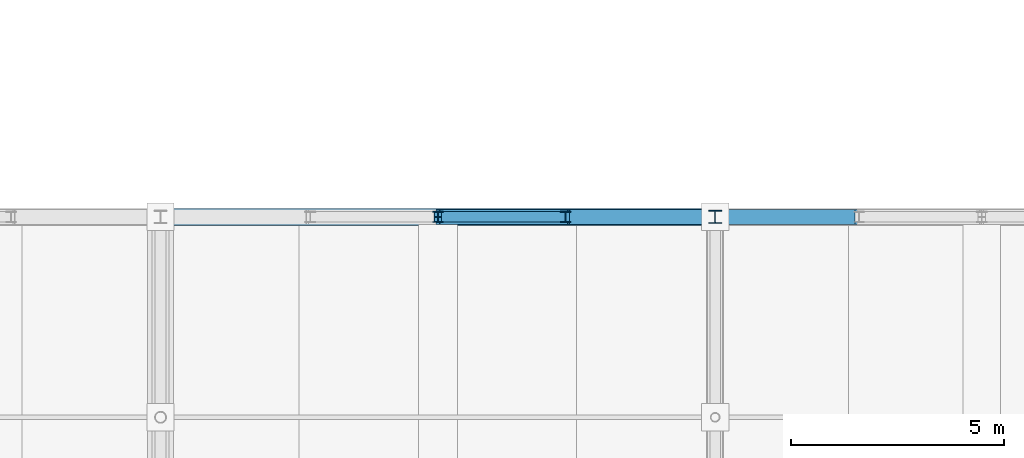
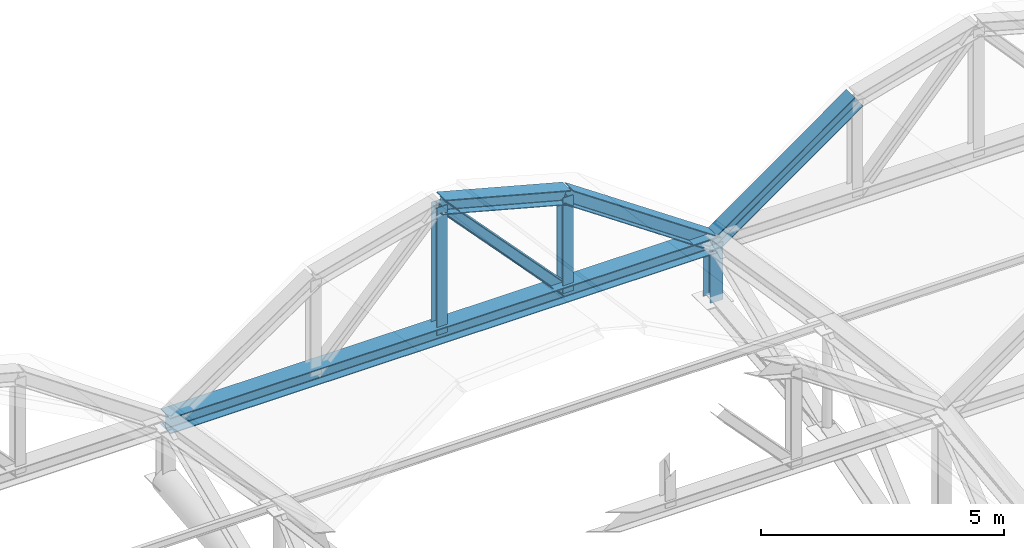
# One storey, part 27 of 117: 8 members.
"""IFC4 building model written with IfcOpenShell, lengths in metres."""

from ifc_helpers import new_model, si_unit, direction, frame, origin, origin_2d, place, context, subcontext, project, spatial, i_section, extrude, material, material_profile, profile_set, type_object, element, save


model = new_model("IFC4")

# Units and contexts
model_context = context("Model", 3, precision=1e-05, world=origin(), true_north=direction((0.0, 1.0)))
body_context = subcontext(model_context, "Body", "Model", "MODEL_VIEW")
ifc_project = project(units=[si_unit("LENGTHUNIT", "METRE"), si_unit("AREAUNIT", "SQUARE_METRE"), si_unit("VOLUMEUNIT", "CUBIC_METRE"), si_unit("PLANEANGLEUNIT", "RADIAN"), si_unit("MASSUNIT", "GRAM", prefix="KILO")], contexts=[model_context])

# Site, building, storey
site_placement = place(None, origin())
site = spatial("IfcSite", under=ifc_project, at=site_placement, CompositionType="ELEMENT")
building_placement = place(site_placement, origin())
building = spatial("IfcBuilding", under=site, at=building_placement, Name="Kazenohara Klinker Stadium", CompositionType="ELEMENT")
storey_placement = place(building_placement, frame((0.0, 0.0, 31.199951171875)))
storey = spatial("IfcBuildingStorey", under=building, at=storey_placement, Name="RF", CompositionType="ELEMENT", Elevation=31.199951171875)

# Members
ifc_material = material(Name="Steel S355", Category="steel")
ifc_material_profile_1 = material_profile(ifc_material, i_section(OverallWidth=0.39990234375, OverallDepth=0.39990234375, WebThickness=0.012939453125, FlangeThickness=0.02099609375, FilletRadius=0.02197265625, at=origin_2d()), Name="H-400x400x13x21")
ifc_profile_set_1 = profile_set([ifc_material_profile_1], Name="Steel S355")
member_type_1 = type_object("IfcMemberType", Name="MEM-CHD01", PredefinedType="CHORD", material=ifc_profile_set_1)
member_1_placement = place(storey_placement, frame((125.0, 45.39990234375, 3.300048828125), z_axis=(-1.0, 0.0, 0.0), x_axis=(0.0, -1.0, 0.0)))
element("IfcMember", 1, at=member_1_placement, inside=storey, type_object=member_type_1, Name="Inner tension ring chord TC01 segment 27", PredefinedType="CHORD", context=body_context, shape_type="SweptSolid", body=[
    extrude(i_section(OverallWidth=0.39990234375, OverallDepth=0.39990234375, WebThickness=0.012939453125, FlangeThickness=0.02099609375, FilletRadius=0.02197265625, at=origin_2d()), origin(), (0.0, 0.0, 1.0), 13.0),
])
ifc_material_profile_2 = material_profile(ifc_material, i_section(OverallWidth=0.35009765625, OverallDepth=0.35009765625, WebThickness=0.011962890625, FlangeThickness=0.01904296875, FilletRadius=0.012939453125, at=origin_2d()), Name="H-350x350x12x19")
ifc_profile_set_2 = profile_set([ifc_material_profile_2], Name="Steel S355")
member_type_2 = type_object("IfcMemberType", Name="MEM-CHD02", PredefinedType="CHORD", material=ifc_profile_set_2)
member_2_placement = place(storey_placement, frame((118.5, 45.39990234375, 6.5), z_axis=(0.966015959624, 0.0, -0.258482428324), x_axis=(0.0, 1.0, 0.0)))
element("IfcMember", 2, at=member_2_placement, inside=storey, type_object=member_type_2, Name="Barrel arch top rib TC02 S-05-N5-S3", PredefinedType="CHORD", context=body_context, shape_type="SweptSolid", body=[
    extrude(i_section(OverallWidth=0.35009765625, OverallDepth=0.35009765625, WebThickness=0.011962890625, FlangeThickness=0.01904296875, FilletRadius=0.012939453125, at=origin_2d()), origin(), (0.0, 0.0, 1.0), 3.09521484375),
])
member_3_placement = place(storey_placement, frame((121.489990234375, 45.39990234375, 5.699951171875), z_axis=(0.825491711615, 0.0, -0.56441423977), x_axis=(0.0, 1.0, 0.0)))
element("IfcMember", 3, at=member_3_placement, inside=storey, type_object=member_type_2, Name="Barrel arch top rib TC02 S-05-N5-S4", PredefinedType="CHORD", context=body_context, shape_type="SweptSolid", body=[
    extrude(i_section(OverallWidth=0.35009765625, OverallDepth=0.35009765625, WebThickness=0.011962890625, FlangeThickness=0.01904296875, FilletRadius=0.012939453125, at=origin_2d()), origin(), (0.0, 0.0, 1.0), 4.251953125),
])
member_4_placement = place(storey_placement, frame((125.0, 45.39990234375, 3.300048828125), z_axis=(0.814966461491, 0.0, 0.579508124744), x_axis=(0.0, 1.0, 0.0)))
element("IfcMember", 4, at=member_4_placement, inside=storey, type_object=member_type_2, Name="Barrel arch top rib TC02 S-06-N5-S1", PredefinedType="CHORD", context=body_context, shape_type="SweptSolid", body=[
    extrude(i_section(OverallWidth=0.35009765625, OverallDepth=0.35009765625, WebThickness=0.011962890625, FlangeThickness=0.01904296875, FilletRadius=0.012939453125, at=origin_2d()), origin(), (0.0, 0.0, 1.0), 4.141357421875),
])
ifc_material_profile_3 = material_profile(ifc_material, i_section(OverallWidth=0.300048828125, OverallDepth=0.300048828125, WebThickness=0.010009765625, FlangeThickness=0.014892578125, FilletRadius=0.012939453125, at=origin_2d()), Name="H-300x300x10x15")
ifc_profile_set_3 = profile_set([ifc_material_profile_3], Name="Steel S355")
member_type_3 = type_object("IfcMemberType", Name="MEM-STR01", PredefinedType="STRUT", material=ifc_profile_set_3)
member_5_placement = place(storey_placement, frame((125.0, 45.39990234375, 1.85009765625), z_axis=(0.0, 0.0, 1.0), x_axis=(1.0, 0.0, 0.0)))
element("IfcMember", 5, at=member_5_placement, inside=storey, type_object=member_type_3, Name="ROOF TRUSS RT-S06 web post 6", PredefinedType="STRUT", context=body_context, shape_type="SweptSolid", body=[
    extrude(i_section(OverallWidth=0.300048828125, OverallDepth=0.300048828125, WebThickness=0.010009765625, FlangeThickness=0.014892578125, FilletRadius=0.012939453125, at=origin_2d()), origin(), (0.0, 0.0, 1.0), 1.449951171875),
])
ifc_material_profile_4 = material_profile(ifc_material, i_section(OverallWidth=0.25, OverallDepth=0.25, WebThickness=0.009033203125, FlangeThickness=0.013916015625, FilletRadius=0.012939453125, at=origin_2d()), Name="H-250x250x9x14")
ifc_profile_set_4 = profile_set([ifc_material_profile_4], Name="Steel S355")
member_type_4 = type_object("IfcMemberType", Name="MEM-STR02", PredefinedType="STRUT", material=ifc_profile_set_4)
member_6_placement = place(storey_placement, frame((118.5, 45.39990234375, 3.300048828125), z_axis=(0.0, 0.0, 1.0), x_axis=(1.0, 0.0, 0.0)))
element("IfcMember", 6, at=member_6_placement, inside=storey, type_object=member_type_4, Name="Barrel arch web post TS02 S-05-N5-P2", PredefinedType="STRUT", context=body_context, shape_type="SweptSolid", body=[
    extrude(i_section(OverallWidth=0.25, OverallDepth=0.25, WebThickness=0.009033203125, FlangeThickness=0.013916015625, FilletRadius=0.012939453125, at=origin_2d()), origin(), (0.0, 0.0, 1.0), 3.199951171875),
])
member_7_placement = place(storey_placement, frame((121.489990234375, 45.39990234375, 3.300048828125), z_axis=(0.0, 0.0, 1.0), x_axis=(1.0, 0.0, 0.0)))
element("IfcMember", 7, at=member_7_placement, inside=storey, type_object=member_type_4, Name="Barrel arch web post TS02 S-05-N5-P3", PredefinedType="STRUT", context=body_context, shape_type="SweptSolid", body=[
    extrude(i_section(OverallWidth=0.25, OverallDepth=0.25, WebThickness=0.009033203125, FlangeThickness=0.013916015625, FilletRadius=0.012939453125, at=origin_2d()), origin(), (0.0, 0.0, 1.0), 2.39990234375),
])
member_8_placement = place(storey_placement, frame((121.489990234375, 45.39990234375, 3.300048828125), z_axis=(-0.682729290589, 0.0, 0.730671414366), x_axis=(0.0, -1.0, 0.0)))
element("IfcMember", 8, at=member_8_placement, inside=storey, type_object=member_type_4, Name="Barrel arch web diagonal TS02 S-05-N5-D2", PredefinedType="STRUT", context=body_context, shape_type="SweptSolid", body=[
    extrude(i_section(OverallWidth=0.25, OverallDepth=0.25, WebThickness=0.009033203125, FlangeThickness=0.013916015625, FilletRadius=0.012939453125, at=origin_2d()), origin(), (0.0, 0.0, 1.0), 4.37939453125),
])

save(model, "model.ifc")
